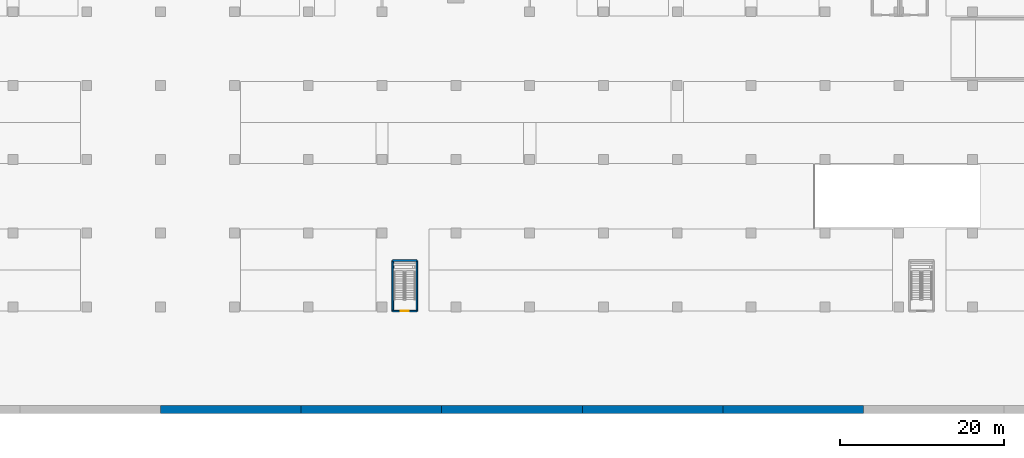
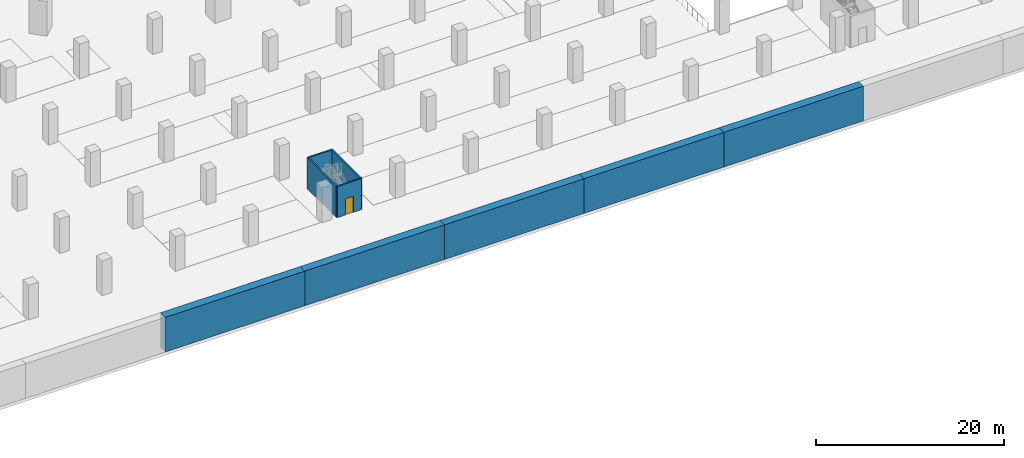
# One storey, part 12 of 34: 9 walls, 1 door, 1 opening.
"""IFC4 building model written with IfcOpenShell, lengths in metres."""

from ifc_helpers import new_model, si_unit, direction, frame, frame_2d, origin, place, context, subcontext, project, spatial, rectangle, extrude, material, layer, layer_set, type_object, element, fill, save


model = new_model("IFC4")

# Units and contexts
model_context = context("Model", 3, precision=1e-05, world=origin(), true_north=direction((0.0, 1.0)))
body_context = subcontext(model_context, "Body", "Model", "MODEL_VIEW")
ifc_project = project(units=[si_unit("LENGTHUNIT", "METRE"), si_unit("AREAUNIT", "SQUARE_METRE"), si_unit("VOLUMEUNIT", "CUBIC_METRE"), si_unit("PLANEANGLEUNIT", "RADIAN"), si_unit("MASSUNIT", "GRAM", prefix="KILO")], contexts=[model_context])

# Site, building, storey
site_placement = place(None, origin())
site = spatial("IfcSite", under=ifc_project, at=site_placement, CompositionType="ELEMENT")
building_placement = place(site_placement, origin())
building = spatial("IfcBuilding", under=site, at=building_placement, Name="Ogive Gate Towers", CompositionType="ELEMENT")
storey_placement = place(building_placement, frame((0.0, 0.0, -4.5)))
storey = spatial("IfcBuildingStorey", under=building, at=storey_placement, Name="B1", CompositionType="ELEMENT", Elevation=-4.5)

# Wall, opening, door
ifc_material_1 = material(Name="Reinforced concrete C32/40", Category="concrete")
ifc_layer_1 = layer(ifc_material_1, 0.199951171875)
ifc_layer_set_1 = layer_set([ifc_layer_1], Name="Car park stair shaft wall 200")
wall_type_1 = type_object("IfcWallType", Name="Car park stair shaft wall 200", PredefinedType="SOLIDWALL", material=ifc_layer_set_1)
wall_1_placement = place(storey_placement, frame((31.25, -63.5, 0.0), z_axis=(0.0, 0.0, 1.0), x_axis=(-1.0, 0.0, 0.0)))
wall_1 = element("IfcWall", 1, at=wall_1_placement, inside=storey, type_object=wall_type_1, Name="CS7 stair shaft wall B1 1", PredefinedType="SOLIDWALL", context=body_context, shape_type="SweptSolid", body=[
    extrude(rectangle(XDim=2.949951171875, YDim=0.199951171875, at=frame_2d((1.47509765625, 0.0))), origin(), (0.0, 0.0, 1.0), 4.050048828125),
])
opening_placement = place(wall_1_placement, frame((0.97509765625, 0.0, 0.0)))
opening = element("IfcOpeningElement", 2, at=opening_placement, cuts=wall_1, Name="Opening CPD37-B1", PredefinedType="OPENING", context=body_context, shape_type="SweptSolid", body=[
    extrude(rectangle(XDim=1.0, YDim=2.10009765625, at=frame_2d((0.5, 1.050048828125))), frame((0.0, 0.10986328125, 0.0), z_axis=(0.0, -1.0, 0.0), x_axis=(1.0, 0.0, 0.0)), (0.0, 0.0, 1.0), 0.219970703125),
])
ifc_material_2 = material(Name="Painted steel door", Category="steel")
door_type = type_object("IfcDoorType", Name="Stair house door 1000 x 2100", OperationType="SINGLE_SWING_LEFT", PredefinedType="DOOR", material=ifc_material_2)
door_placement = place(opening_placement, origin())
door = element("IfcDoor", 3, at=door_placement, inside=storey, type_object=door_type, Name="Door CS7 stair B1", OperationType="SINGLE_SWING_LEFT", OverallHeight=2.10009765625, OverallWidth=1.0, PredefinedType="DOOR", context=body_context, shape_type="SweptSolid", body=[
    extrude(rectangle(XDim=1.0, YDim=2.10009765625, at=frame_2d((0.5, 1.050048828125))), frame((0.0, 0.02490234375, 0.0), z_axis=(0.0, -1.0, 0.0), x_axis=(1.0, 0.0, 0.0)), (0.0, 0.0, 1.0), 0.050048828125),
])
fill(opening, door)

# Walls
wall_2_placement = place(storey_placement, frame((28.300048828125, -63.5, 0.0), z_axis=(0.0, 0.0, 1.0), x_axis=(0.0, 1.0, 0.0)))
element("IfcWall", 4, at=wall_2_placement, inside=storey, type_object=wall_type_1, Name="CS7 stair shaft wall B1 2", PredefinedType="SOLIDWALL", context=body_context, shape_type="SweptSolid", body=[
    extrude(rectangle(XDim=6.159912109375, YDim=0.199951171875, at=frame_2d((3.080078125, 0.0))), origin(), (0.0, 0.0, 1.0), 4.050048828125),
])
wall_3_placement = place(storey_placement, frame((28.300048828125, -57.340087890625, 0.0), z_axis=(0.0, 0.0, 1.0), x_axis=(1.0, 0.0, 0.0)))
element("IfcWall", 5, at=wall_3_placement, inside=storey, type_object=wall_type_1, Name="CS7 stair shaft wall B1 3", PredefinedType="SOLIDWALL", context=body_context, shape_type="SweptSolid", body=[
    extrude(rectangle(XDim=2.949951171875, YDim=0.199951171875, at=frame_2d((1.47509765625, 0.0))), origin(), (0.0, 0.0, 1.0), 4.050048828125),
])
wall_4_placement = place(storey_placement, frame((31.25, -57.340087890625, 0.0), z_axis=(0.0, 0.0, 1.0), x_axis=(0.0, -1.0, 0.0)))
element("IfcWall", 6, at=wall_4_placement, inside=storey, type_object=wall_type_1, Name="CS7 stair shaft wall B1 4", PredefinedType="SOLIDWALL", context=body_context, shape_type="SweptSolid", body=[
    extrude(rectangle(XDim=6.159912109375, YDim=0.199951171875, at=frame_2d((3.080078125, 0.0))), origin(), (0.0, 0.0, 1.0), 4.050048828125),
])
ifc_material_3 = material(Name="Concrete C40/50", Category="concrete")
ifc_layer_2 = layer(ifc_material_3, 1.0)
ifc_layer_set_2 = layer_set([ifc_layer_2], Name="Retaining wall 1000")
wall_type_2 = type_object("IfcWallType", Name="Retaining wall 1000", PredefinedType="SOLIDWALL", material=ifc_layer_set_2)
for number, where, z_axis, x_axis, name in (
    (7, (85.69677734375, -75.5, 0.0), (0.0, 0.0, 1.0), (-1.0, 0.0, 0.0), "BS/B1/SWL003"),
    (8, (68.557373046875, -75.5, 0.0), (0.0, 0.0, 1.0), (-1.0, 0.0, 0.0), "BS/B1/SWL004"),
):
    element("IfcWall", number, at=place(storey_placement, frame(where, z_axis=z_axis, x_axis=x_axis)), inside=storey, type_object=wall_type_2, Name=name, PredefinedType="SOLIDWALL", context=body_context, shape_type="SweptSolid", body=[
        extrude(rectangle(XDim=17.139404296875, YDim=1.0, at=frame_2d((8.56982421875, 0.0))), origin(), (0.0, 0.0, 1.0), 4.5),
    ])
wall_5_placement = place(storey_placement, frame((51.41796875, -75.5, 0.0), z_axis=(0.0, 0.0, 1.0), x_axis=(-1.0, 0.0, 0.0)))
element("IfcWall", 9, at=wall_5_placement, inside=storey, type_object=wall_type_2, Name="BS/B1/SWL005", PredefinedType="SOLIDWALL", context=body_context, shape_type="SweptSolid", body=[
    extrude(rectangle(XDim=17.13916015625, YDim=1.0, at=frame_2d((8.569580078125, 0.0))), origin(), (0.0, 0.0, 1.0), 4.5),
])
for number, where, z_axis, x_axis, name in (
    (10, (34.27880859375, -75.5, 0.0), (0.0, 0.0, 1.0), (-1.0, 0.0, 0.0), "BS/B1/SWL006"),
    (11, (17.139404296875, -75.5, 0.0), (0.0, 0.0, 1.0), (-1.0, 0.0, 0.0), "BS/B1/SWL007"),
):
    element("IfcWall", number, at=place(storey_placement, frame(where, z_axis=z_axis, x_axis=x_axis)), inside=storey, type_object=wall_type_2, Name=name, PredefinedType="SOLIDWALL", context=body_context, shape_type="SweptSolid", body=[
        extrude(rectangle(XDim=17.139404296875, YDim=1.0, at=frame_2d((8.56982421875, 0.0))), origin(), (0.0, 0.0, 1.0), 4.5),
    ])

save(model, "model.ifc")
